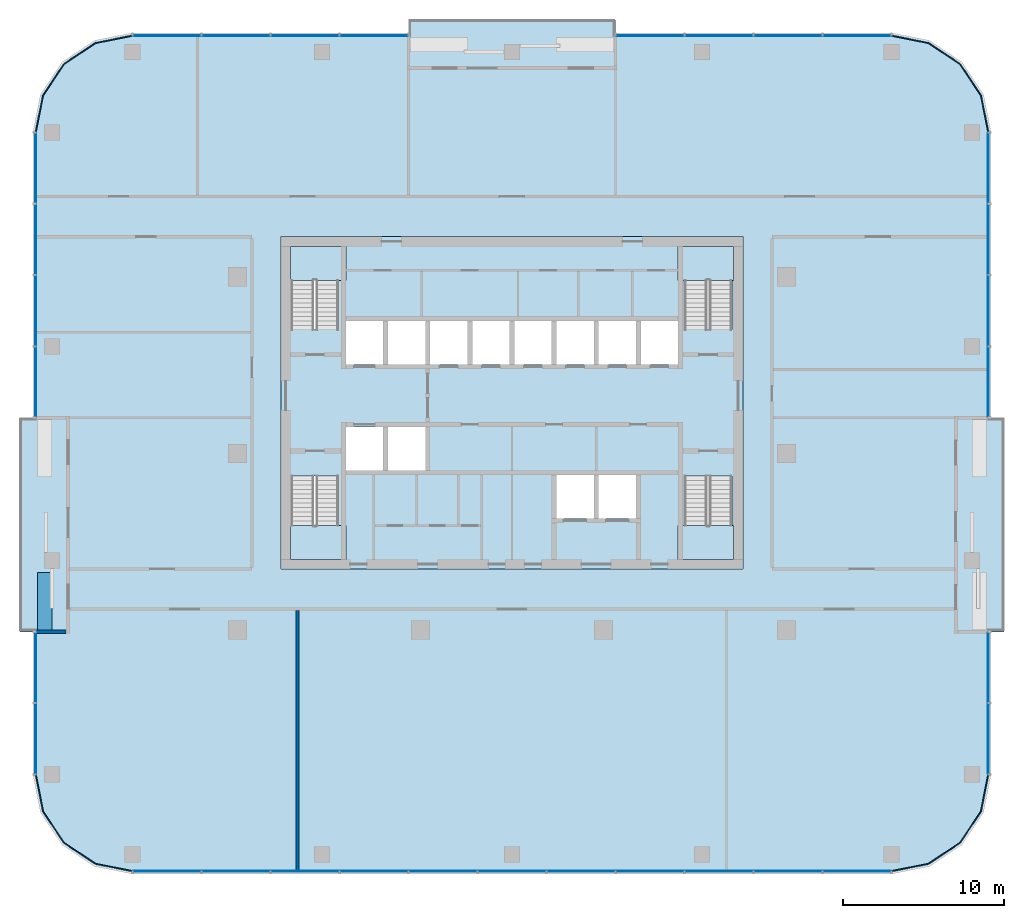
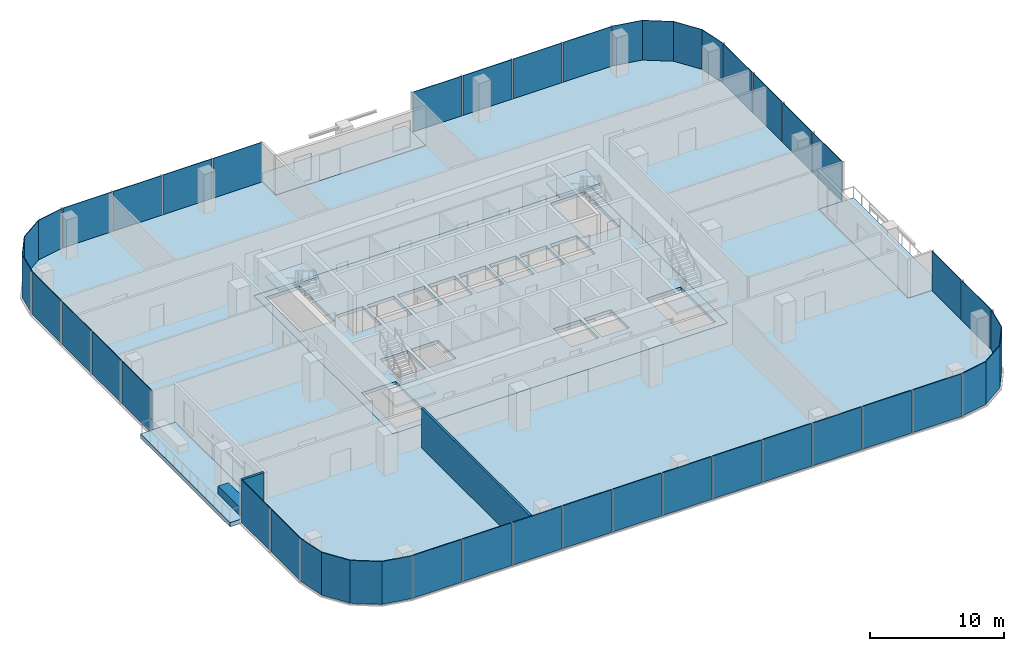
# One storey, part 6 of 13: 35 plates, 9 slabs, 3 walls, 15 elements without a shape of their own.
"""IFC4 building model written with IfcOpenShell, lengths in metres."""

from ifc_helpers import new_model, si_unit, direction, frame, frame_2d, origin, origin_2d, place, context, subcontext, project, spatial, polyline, rectangle, outline, extrude, material, layer, layer_set, type_object, element, aggregate, save


model = new_model("IFC4")

# Units and contexts
model_context = context("Model", 3, precision=1e-05, world=origin(), true_north=direction((0.0, 1.0)))
body_context = subcontext(model_context, "Body", "Model", "MODEL_VIEW")
ifc_project = project(units=[si_unit("LENGTHUNIT", "METRE"), si_unit("AREAUNIT", "SQUARE_METRE"), si_unit("VOLUMEUNIT", "CUBIC_METRE"), si_unit("PLANEANGLEUNIT", "RADIAN"), si_unit("MASSUNIT", "GRAM", prefix="KILO")], contexts=[model_context])

# Site, building, storey
site_placement = place(None, origin())
site = spatial("IfcSite", under=ifc_project, at=site_placement, CompositionType="ELEMENT")
building_placement = place(site_placement, origin())
building = spatial("IfcBuilding", under=site, at=building_placement, Name="Mopane Tessera Tower", CompositionType="ELEMENT")
storey_placement = place(building_placement, frame((0.0, 0.0, 271.39990234375)))
storey = spatial("IfcBuildingStorey", under=building, at=storey_placement, Name="L58", CompositionType="ELEMENT", Elevation=271.39990234375)

# Slab
ifc_material_1 = material(Name="Concrete C40/50", Category="concrete")
ifc_layer_1 = layer(ifc_material_1, 0.300048828125)
ifc_layer_set_1 = layer_set([ifc_layer_1], Name="Concrete C40/50")
slab_type_1 = type_object("IfcSlabType", Name="Core floor slab 300 mm", PredefinedType="FLOOR", material=ifc_layer_set_1)
slab_1_placement = place(storey_placement, frame((0.0, 0.0, -0.2998046875)))
element("IfcSlab", 1, at=slab_1_placement, inside=storey, type_object=slab_type_1, Name="L58 core floor slab", PredefinedType="FLOOR", context=body_context, shape_type="SweptSolid", body=[
    extrude(outline(polyline([(-14.39990234375, -7.199951171875), (14.39990234375, -7.199951171875), (14.39990234375, 13.5), (-14.39990234375, 13.5), (-14.39990234375, -7.199951171875)]), holes=[polyline([(-10.35009765625, -1.050048828125), (-8.02490234375, -1.050048828125), (-8.02490234375, 1.64990234375), (-10.35009765625, 1.64990234375), (-10.35009765625, -1.050048828125)]), polyline([(-7.72509765625, -1.050048828125), (-5.39990234375, -1.050048828125), (-5.39990234375, 1.64990234375), (-7.72509765625, 1.64990234375), (-7.72509765625, -1.050048828125)]), polyline([(-10.35009765625, 5.550048828125), (-8.02490234375, 5.550048828125), (-8.02490234375, 8.25), (-10.35009765625, 8.25), (-10.35009765625, 5.550048828125)]), polyline([(-7.72509765625, 5.550048828125), (-5.39990234375, 5.550048828125), (-5.39990234375, 8.25), (-7.72509765625, 8.25), (-7.72509765625, 5.550048828125)]), polyline([(-5.10009765625, 5.550048828125), (-2.77490234375, 5.550048828125), (-2.77490234375, 8.25), (-5.10009765625, 8.25), (-5.10009765625, 5.550048828125)]), polyline([(-2.47509765625, 5.550048828125), (-0.14990234375, 5.550048828125), (-0.14990234375, 8.25), (-2.47509765625, 8.25), (-2.47509765625, 5.550048828125)]), polyline([(0.14990234375, 5.550048828125), (2.47509765625, 5.550048828125), (2.47509765625, 8.25), (0.14990234375, 8.25), (0.14990234375, 5.550048828125)]), polyline([(2.77490234375, 5.550048828125), (5.10009765625, 5.550048828125), (5.10009765625, 8.25), (2.77490234375, 8.25), (2.77490234375, 5.550048828125)]), polyline([(5.39990234375, 5.550048828125), (7.72509765625, 5.550048828125), (7.72509765625, 8.25), (5.39990234375, 8.25), (5.39990234375, 5.550048828125)]), polyline([(8.02490234375, 5.550048828125), (10.35009765625, 5.550048828125), (10.35009765625, 8.25), (8.02490234375, 8.25), (8.02490234375, 5.550048828125)]), polyline([(2.77490234375, -4.050048828125), (5.10009765625, -4.050048828125), (5.10009765625, -1.35009765625), (2.77490234375, -1.35009765625), (2.77490234375, -4.050048828125)]), polyline([(5.39990234375, -4.050048828125), (7.72509765625, -4.050048828125), (7.72509765625, -1.35009765625), (5.39990234375, -1.35009765625), (5.39990234375, -4.050048828125)]), polyline([(-13.75, -1.405029296875), (-13.75, -6.60009765625), (-10.800048828125, -6.60009765625), (-10.800048828125, -1.405029296875), (-13.75, -1.405029296875)]), polyline([(-10.800048828125, 7.705078125), (-10.800048828125, 12.89990234375), (-13.75, 12.89990234375), (-13.75, 7.705078125), (-10.800048828125, 7.705078125)]), polyline([(10.75, -1.405029296875), (10.75, -6.60009765625), (13.699951171875, -6.60009765625), (13.699951171875, -1.405029296875), (10.75, -1.405029296875)]), polyline([(13.699951171875, 7.705078125), (13.699951171875, 12.89990234375), (10.75, 12.89990234375), (10.75, 7.705078125), (13.699951171875, 7.705078125)])]), origin(), (0.0, 0.0, 1.0), 0.2998046875),
])

# Stair, slab
ifc_material_2 = material(Name="Concrete C50/60", Category="concrete")
stair_type = type_object("IfcStairType", Name="Escape stair 1400 mm, riser 167 mm", PredefinedType="HALF_TURN_STAIR", material=ifc_material_2)
stair_1_placement = place(storey_placement, origin())
stair_1 = element("IfcStair", 2, at=stair_1_placement, inside=storey, type_object=stair_type, Name="L58 Escape stair south-west", PredefinedType="HALF_TURN_STAIR")
ifc_material_3 = material(Name="Concrete C50/60", Category="concrete")
ifc_layer_2 = layer(ifc_material_3, 0.199951171875)
ifc_layer_set_2 = layer_set([ifc_layer_2], Name="Concrete C50/60")
slab_type_2 = type_object("IfcSlabType", Name="Escape stair landing 200 mm", PredefinedType="LANDING", material=ifc_layer_set_2)
slab_2_placement = place(storey_placement, frame((0.0, 0.0, 1.800048828125)))
slab_2 = element("IfcSlab", 3, at=slab_2_placement, type_object=slab_type_2, Name="ST1 landing 1", PredefinedType="LANDING", context=body_context, shape_type="SweptSolid", body=[
    extrude(outline(polyline([(-13.800048828125, -4.47998046875), (-13.800048828125, -6.60009765625), (-10.35009765625, -6.60009765625), (-10.35009765625, -4.47998046875), (-13.800048828125, -4.47998046875)])), origin(), (0.0, 0.0, 1.0), 0.199951171875),
])
aggregate(stair_1, [slab_2])

stair_2_placement = place(storey_placement, origin())
stair_2 = element("IfcStair", 4, at=stair_2_placement, inside=storey, type_object=stair_type, Name="L58 Escape stair north-west", PredefinedType="HALF_TURN_STAIR")
slab_3_placement = place(storey_placement, frame((0.0, 0.0, 1.800048828125)))
slab_3 = element("IfcSlab", 5, at=slab_3_placement, type_object=slab_type_2, Name="ST2 landing 1", PredefinedType="LANDING", context=body_context, shape_type="SweptSolid", body=[
    extrude(outline(polyline([(-10.35009765625, 10.780029296875), (-10.35009765625, 12.89990234375), (-13.800048828125, 12.89990234375), (-13.800048828125, 10.780029296875), (-10.35009765625, 10.780029296875)])), origin(), (0.0, 0.0, 1.0), 0.199951171875),
])
aggregate(stair_2, [slab_3])

stair_3_placement = place(storey_placement, origin())
stair_3 = element("IfcStair", 6, at=stair_3_placement, inside=storey, type_object=stair_type, Name="L58 Escape stair south-east", PredefinedType="HALF_TURN_STAIR")
slab_4_placement = place(storey_placement, frame((0.0, 0.0, 1.800048828125)))
slab_4 = element("IfcSlab", 7, at=slab_4_placement, type_object=slab_type_2, Name="ST3 landing 1", PredefinedType="LANDING", context=body_context, shape_type="SweptSolid", body=[
    extrude(outline(polyline([(10.35009765625, -4.47998046875), (10.35009765625, -6.60009765625), (13.800048828125, -6.60009765625), (13.800048828125, -4.47998046875), (10.35009765625, -4.47998046875)])), origin(), (0.0, 0.0, 1.0), 0.199951171875),
])
aggregate(stair_3, [slab_4])

stair_4_placement = place(storey_placement, origin())
stair_4 = element("IfcStair", 8, at=stair_4_placement, inside=storey, type_object=stair_type, Name="L58 Escape stair north-east", PredefinedType="HALF_TURN_STAIR")
slab_5_placement = place(storey_placement, frame((0.0, 0.0, 1.800048828125)))
slab_5 = element("IfcSlab", 9, at=slab_5_placement, type_object=slab_type_2, Name="ST4 landing 1", PredefinedType="LANDING", context=body_context, shape_type="SweptSolid", body=[
    extrude(outline(polyline([(13.800048828125, 10.780029296875), (13.800048828125, 12.89990234375), (10.35009765625, 12.89990234375), (10.35009765625, 10.780029296875), (13.800048828125, 10.780029296875)])), origin(), (0.0, 0.0, 1.0), 0.199951171875),
])
aggregate(stair_4, [slab_5])

# Slabs
ifc_material_4 = material(Name="Concrete C40/50", Category="concrete")
ifc_layer_3 = layer(ifc_material_4, 0.39990234375)
ifc_layer_set_3 = layer_set([ifc_layer_3], Name="Concrete C40/50")
slab_type_3 = type_object("IfcSlabType", Name="Planted terrace slab 400 mm", PredefinedType="FLOOR", material=ifc_layer_set_3)
slab_6_placement = place(storey_placement, frame((0.0, 0.0, -0.39990234375)))
element("IfcSlab", 10, at=slab_6_placement, inside=storey, type_object=slab_type_3, Name="Terrace slab N1 L58", PredefinedType="FLOOR", context=body_context, shape_type="SweptSolid", body=[
    extrude(outline(polyline([(30.64990234375, 2.22216796875), (27.64990234375, 2.22216796875), (27.64990234375, -11.111083984375), (30.64990234375, -11.111083984375), (30.64990234375, 2.22216796875)])), origin(), (0.0, 0.0, 1.0), 0.39990234375),
])
slab_7_placement = place(storey_placement, frame((0.0, 0.0, -0.39990234375)))
element("IfcSlab", 11, at=slab_7_placement, inside=storey, type_object=slab_type_3, Name="Terrace slab N2 L58", PredefinedType="FLOOR", context=body_context, shape_type="SweptSolid", body=[
    extrude(outline(polyline([(-6.449951171875, 27.0), (-6.449951171875, 24.0), (6.449951171875, 24.0), (6.449951171875, 27.0), (-6.449951171875, 27.0)])), origin(), (0.0, 0.0, 1.0), 0.39990234375),
])
slab_8_placement = place(storey_placement, frame((0.0, 0.0, -0.39990234375)))
element("IfcSlab", 12, at=slab_8_placement, inside=storey, type_object=slab_type_3, Name="Terrace slab N3 L58", PredefinedType="FLOOR", context=body_context, shape_type="SweptSolid", body=[
    extrude(outline(polyline([(-30.64990234375, -11.111083984375), (-27.64990234375, -11.111083984375), (-27.64990234375, 2.22216796875), (-30.64990234375, 2.22216796875), (-30.64990234375, -11.111083984375)])), origin(), (0.0, 0.0, 1.0), 0.39990234375),
])
ifc_material_5 = material(Name="Concrete C40/50", Category="concrete")
ifc_layer_4 = layer(ifc_material_5, 0.39990234375)
ifc_layer_set_4 = layer_set([ifc_layer_4], Name="Concrete C40/50")
slab_type_4 = type_object("IfcSlabType", Name="Post-tensioned flat plate 400 mm", PredefinedType="FLOOR", material=ifc_layer_set_4)
slab_9_placement = place(storey_placement, frame((0.0, 0.0, -0.39990234375)))
element("IfcSlab", 13, at=slab_9_placement, inside=storey, type_object=slab_type_4, Name="Floor slab L58", PredefinedType="FLOOR", context=body_context, shape_type="SweptSolid", body=[
    extrude(outline(polyline([(29.64990234375, -20.0), (29.64990234375, -11.111083984375), (27.64990234375, -11.111083984375), (27.64990234375, 2.22216796875), (29.64990234375, 2.22216796875), (29.64990234375, 20.0), (29.193359375, 22.296142578125), (27.892578125, 24.24267578125), (25.946044921875, 25.543212890625), (23.64990234375, 26.0), (6.449951171875, 26.0), (6.449951171875, 24.0), (-6.449951171875, 24.0), (-6.449951171875, 26.0), (-23.64990234375, 26.0), (-25.946044921875, 25.543212890625), (-27.892578125, 24.24267578125), (-29.193359375, 22.296142578125), (-29.64990234375, 20.0), (-29.64990234375, 2.22216796875), (-27.64990234375, 2.22216796875), (-27.64990234375, -11.111083984375), (-29.64990234375, -11.111083984375), (-29.64990234375, -20.0), (-29.193359375, -22.296142578125), (-27.892578125, -24.24267578125), (-25.946044921875, -25.543212890625), (-23.64990234375, -26.0), (23.64990234375, -26.0), (25.946044921875, -25.543212890625), (27.892578125, -24.24267578125), (29.193359375, -22.296142578125), (29.64990234375, -20.0)]), holes=[polyline([(14.39990234375, -7.199951171875), (-14.39990234375, -7.199951171875), (-14.39990234375, 13.5), (14.39990234375, 13.5), (14.39990234375, -7.199951171875)])]), origin(), (0.0, 0.0, 1.0), 0.39990234375),
])

# Curtain wall, plates
ifc_material_6 = material(Name="Aluminium frame", Category="aluminium")
curtain_wall_type = type_object("IfcCurtainWallType", Name="Unitised curtain wall", PredefinedType="NOTDEFINED", material=ifc_material_6)
curtain_wall_1_placement = place(storey_placement, origin())
curtain_wall_1 = element("IfcCurtainWall", 14, at=curtain_wall_1_placement, inside=storey, type_object=curtain_wall_type, Name="e:cw:L58:S:0", PredefinedType="NOTDEFINED")
ifc_material_7 = material(Name="Clear laminated glass", Category="glass")
ifc_layer_5 = layer(ifc_material_7, 0.06005859375)
ifc_layer_set_5 = layer_set([ifc_layer_5], Name="Clear laminated glass")
plate_type = type_object("IfcPlateType", Name="Unitised glazed unit", PredefinedType="CURTAIN_PANEL", material=ifc_layer_set_5)
plate_1_placement = place(storey_placement, frame((-21.5, -26.030029296875, -0.27978515625), z_axis=(0.0, 0.0, 1.0), x_axis=(1.0, 0.0, 0.0)))
plate_1 = element("IfcPlate", 15, at=plate_1_placement, type_object=plate_type, Name="e:cw:L58:S:0:pn0", PredefinedType="CURTAIN_PANEL", context=body_context, shape_type="SweptSolid", body=[
    extrude(rectangle(XDim=4.199951171875, YDim=0.06005859375, at=origin_2d()), origin(), (0.0, 0.0, 1.0), 3.8798828125),
])
plate_2_placement = place(storey_placement, frame((-17.199951171875, -26.030029296875, -0.27978515625), z_axis=(0.0, 0.0, 1.0), x_axis=(1.0, 0.0, 0.0)))
plate_2 = element("IfcPlate", 16, at=plate_2_placement, type_object=plate_type, Name="e:cw:L58:S:0:pn1", PredefinedType="CURTAIN_PANEL", context=body_context, shape_type="SweptSolid", body=[
    extrude(rectangle(XDim=4.199951171875, YDim=0.06005859375, at=origin_2d()), origin(), (0.0, 0.0, 1.0), 3.8798828125),
])
plate_3_placement = place(storey_placement, frame((-12.89990234375, -26.030029296875, -0.27978515625), z_axis=(0.0, 0.0, 1.0), x_axis=(1.0, 0.0, 0.0)))
plate_3 = element("IfcPlate", 17, at=plate_3_placement, type_object=plate_type, Name="e:cw:L58:S:0:pn2", PredefinedType="CURTAIN_PANEL", context=body_context, shape_type="SweptSolid", body=[
    extrude(rectangle(XDim=4.199951171875, YDim=0.06005859375, at=origin_2d()), origin(), (0.0, 0.0, 1.0), 3.8798828125),
])
plate_4_placement = place(storey_placement, frame((-8.60009765625, -26.030029296875, -0.27978515625), z_axis=(0.0, 0.0, 1.0), x_axis=(1.0, 0.0, 0.0)))
plate_4 = element("IfcPlate", 18, at=plate_4_placement, type_object=plate_type, Name="e:cw:L58:S:0:pn3", PredefinedType="CURTAIN_PANEL", context=body_context, shape_type="SweptSolid", body=[
    extrude(rectangle(XDim=4.199951171875, YDim=0.06005859375, at=origin_2d()), origin(), (0.0, 0.0, 1.0), 3.8798828125),
])
plate_5_placement = place(storey_placement, frame((-4.300048828125, -26.030029296875, -0.27978515625), z_axis=(0.0, 0.0, 1.0), x_axis=(1.0, 0.0, 0.0)))
plate_5 = element("IfcPlate", 19, at=plate_5_placement, type_object=plate_type, Name="e:cw:L58:S:0:pn4", PredefinedType="CURTAIN_PANEL", context=body_context, shape_type="SweptSolid", body=[
    extrude(rectangle(XDim=4.199951171875, YDim=0.06005859375, at=origin_2d()), origin(), (0.0, 0.0, 1.0), 3.8798828125),
])
plate_6_placement = place(storey_placement, frame((0.0, -26.030029296875, -0.27978515625), z_axis=(0.0, 0.0, 1.0), x_axis=(1.0, 0.0, 0.0)))
plate_6 = element("IfcPlate", 20, at=plate_6_placement, type_object=plate_type, Name="e:cw:L58:S:0:pn5", PredefinedType="CURTAIN_PANEL", context=body_context, shape_type="SweptSolid", body=[
    extrude(rectangle(XDim=4.199951171875, YDim=0.06005859375, at=origin_2d()), origin(), (0.0, 0.0, 1.0), 3.8798828125),
])
plate_7_placement = place(storey_placement, frame((4.300048828125, -26.030029296875, -0.27978515625), z_axis=(0.0, 0.0, 1.0), x_axis=(1.0, 0.0, 0.0)))
plate_7 = element("IfcPlate", 21, at=plate_7_placement, type_object=plate_type, Name="e:cw:L58:S:0:pn6", PredefinedType="CURTAIN_PANEL", context=body_context, shape_type="SweptSolid", body=[
    extrude(rectangle(XDim=4.199951171875, YDim=0.06005859375, at=origin_2d()), origin(), (0.0, 0.0, 1.0), 3.8798828125),
])
plate_8_placement = place(storey_placement, frame((8.60009765625, -26.030029296875, -0.27978515625), z_axis=(0.0, 0.0, 1.0), x_axis=(1.0, 0.0, 0.0)))
plate_8 = element("IfcPlate", 22, at=plate_8_placement, type_object=plate_type, Name="e:cw:L58:S:0:pn7", PredefinedType="CURTAIN_PANEL", context=body_context, shape_type="SweptSolid", body=[
    extrude(rectangle(XDim=4.199951171875, YDim=0.06005859375, at=origin_2d()), origin(), (0.0, 0.0, 1.0), 3.8798828125),
])
plate_9_placement = place(storey_placement, frame((12.89990234375, -26.030029296875, -0.27978515625), z_axis=(0.0, 0.0, 1.0), x_axis=(1.0, 0.0, 0.0)))
plate_9 = element("IfcPlate", 23, at=plate_9_placement, type_object=plate_type, Name="e:cw:L58:S:0:pn8", PredefinedType="CURTAIN_PANEL", context=body_context, shape_type="SweptSolid", body=[
    extrude(rectangle(XDim=4.199951171875, YDim=0.06005859375, at=origin_2d()), origin(), (0.0, 0.0, 1.0), 3.8798828125),
])
plate_10_placement = place(storey_placement, frame((17.199951171875, -26.030029296875, -0.27978515625), z_axis=(0.0, 0.0, 1.0), x_axis=(1.0, 0.0, 0.0)))
plate_10 = element("IfcPlate", 24, at=plate_10_placement, type_object=plate_type, Name="e:cw:L58:S:0:pn9", PredefinedType="CURTAIN_PANEL", context=body_context, shape_type="SweptSolid", body=[
    extrude(rectangle(XDim=4.199951171875, YDim=0.06005859375, at=origin_2d()), origin(), (0.0, 0.0, 1.0), 3.8798828125),
])
plate_11_placement = place(storey_placement, frame((21.5, -26.030029296875, -0.27978515625), z_axis=(0.0, 0.0, 1.0), x_axis=(1.0, 0.0, 0.0)))
plate_11 = element("IfcPlate", 25, at=plate_11_placement, type_object=plate_type, Name="e:cw:L58:S:0:pn10", PredefinedType="CURTAIN_PANEL", context=body_context, shape_type="SweptSolid", body=[
    extrude(rectangle(XDim=4.199951171875, YDim=0.06005859375, at=origin_2d()), origin(), (0.0, 0.0, 1.0), 3.8798828125),
])
aggregate(curtain_wall_1, [plate_1, plate_2, plate_3, plate_4, plate_5, plate_6, plate_7, plate_8, plate_9, plate_10, plate_11])

# Curtain wall, plate
curtain_wall_2_placement = place(storey_placement, origin())
curtain_wall_2 = element("IfcCurtainWall", 26, at=curtain_wall_2_placement, inside=storey, type_object=curtain_wall_type, Name="e:cw:L58:CS", PredefinedType="NOTDEFINED")
plate_12_placement = place(storey_placement, frame((0.0, 0.0, -0.27978515625)))
plate_12 = element("IfcPlate", 27, at=plate_12_placement, type_object=plate_type, Name="e:cw:L58:CS:pn", PredefinedType="CURTAIN_PANEL", context=body_context, shape_type="SweptSolid", body=[
    extrude(outline(polyline([(23.64990234375, -26.0), (25.946044921875, -25.543212890625), (27.892578125, -24.24267578125), (29.193359375, -22.296142578125), (29.64990234375, -20.0), (29.7099609375, -20.0), (29.248779296875, -22.319091796875), (27.93505859375, -24.28515625), (25.968994140625, -25.5986328125), (23.64990234375, -26.06005859375), (23.64990234375, -26.0)])), origin(), (0.0, 0.0, 1.0), 3.8798828125),
])
aggregate(curtain_wall_2, [plate_12])

# Curtain wall, plates
curtain_wall_3_placement = place(storey_placement, origin())
curtain_wall_3 = element("IfcCurtainWall", 28, at=curtain_wall_3_placement, inside=storey, type_object=curtain_wall_type, Name="e:cw:L58:E:0", PredefinedType="NOTDEFINED")
plate_13_placement = place(storey_placement, frame((29.679931640625, -17.77783203125, -0.27978515625), z_axis=(0.0, 0.0, 1.0), x_axis=(0.0, 1.0, 0.0)))
plate_13 = element("IfcPlate", 29, at=plate_13_placement, type_object=plate_type, Name="e:cw:L58:E:0:pn0", PredefinedType="CURTAIN_PANEL", context=body_context, shape_type="SweptSolid", body=[
    extrude(rectangle(XDim=4.344482421875, YDim=0.06005859375, at=origin_2d()), origin(), (0.0, 0.0, 1.0), 3.8798828125),
])
plate_14_placement = place(storey_placement, frame((29.679931640625, -13.333251953125, -0.27978515625), z_axis=(0.0, 0.0, 1.0), x_axis=(0.0, 1.0, 0.0)))
plate_14 = element("IfcPlate", 30, at=plate_14_placement, type_object=plate_type, Name="e:cw:L58:E:0:pn1", PredefinedType="CURTAIN_PANEL", context=body_context, shape_type="SweptSolid", body=[
    extrude(rectangle(XDim=4.344482421875, YDim=0.06005859375, at=origin_2d()), origin(), (0.0, 0.0, 1.0), 3.8798828125),
])
aggregate(curtain_wall_3, [plate_13, plate_14])

curtain_wall_4_placement = place(storey_placement, origin())
curtain_wall_4 = element("IfcCurtainWall", 31, at=curtain_wall_4_placement, inside=storey, type_object=curtain_wall_type, Name="e:cw:L58:E:5", PredefinedType="NOTDEFINED")
plate_15_placement = place(storey_placement, frame((29.679931640625, 4.4443359375, -0.27978515625), z_axis=(0.0, 0.0, 1.0), x_axis=(0.0, 1.0, 0.0)))
plate_15 = element("IfcPlate", 32, at=plate_15_placement, type_object=plate_type, Name="e:cw:L58:E:5:pn5", PredefinedType="CURTAIN_PANEL", context=body_context, shape_type="SweptSolid", body=[
    extrude(rectangle(XDim=4.344482421875, YDim=0.06005859375, at=origin_2d()), origin(), (0.0, 0.0, 1.0), 3.8798828125),
])
plate_16_placement = place(storey_placement, frame((29.679931640625, 8.888916015625, -0.27978515625), z_axis=(0.0, 0.0, 1.0), x_axis=(0.0, 1.0, 0.0)))
plate_16 = element("IfcPlate", 33, at=plate_16_placement, type_object=plate_type, Name="e:cw:L58:E:5:pn6", PredefinedType="CURTAIN_PANEL", context=body_context, shape_type="SweptSolid", body=[
    extrude(rectangle(XDim=4.344482421875, YDim=0.06005859375, at=origin_2d()), origin(), (0.0, 0.0, 1.0), 3.8798828125),
])
plate_17_placement = place(storey_placement, frame((29.679931640625, 13.333251953125, -0.27978515625), z_axis=(0.0, 0.0, 1.0), x_axis=(0.0, 1.0, 0.0)))
plate_17 = element("IfcPlate", 34, at=plate_17_placement, type_object=plate_type, Name="e:cw:L58:E:5:pn7", PredefinedType="CURTAIN_PANEL", context=body_context, shape_type="SweptSolid", body=[
    extrude(rectangle(XDim=4.344482421875, YDim=0.06005859375, at=origin_2d()), origin(), (0.0, 0.0, 1.0), 3.8798828125),
])
plate_18_placement = place(storey_placement, frame((29.679931640625, 17.77783203125, -0.27978515625), z_axis=(0.0, 0.0, 1.0), x_axis=(0.0, 1.0, 0.0)))
plate_18 = element("IfcPlate", 35, at=plate_18_placement, type_object=plate_type, Name="e:cw:L58:E:5:pn8", PredefinedType="CURTAIN_PANEL", context=body_context, shape_type="SweptSolid", body=[
    extrude(rectangle(XDim=4.344482421875, YDim=0.06005859375, at=origin_2d()), origin(), (0.0, 0.0, 1.0), 3.8798828125),
])
aggregate(curtain_wall_4, [plate_15, plate_16, plate_17, plate_18])

# Curtain wall, plate
curtain_wall_5_placement = place(storey_placement, origin())
curtain_wall_5 = element("IfcCurtainWall", 36, at=curtain_wall_5_placement, inside=storey, type_object=curtain_wall_type, Name="e:cw:L58:CE", PredefinedType="NOTDEFINED")
plate_19_placement = place(storey_placement, frame((0.0, 0.0, -0.27978515625)))
plate_19 = element("IfcPlate", 37, at=plate_19_placement, type_object=plate_type, Name="e:cw:L58:CE:pn", PredefinedType="CURTAIN_PANEL", context=body_context, shape_type="SweptSolid", body=[
    extrude(outline(polyline([(29.64990234375, 20.0), (29.193359375, 22.296142578125), (27.892578125, 24.24267578125), (25.946044921875, 25.543212890625), (23.64990234375, 26.0), (23.64990234375, 26.06005859375), (25.968994140625, 25.5986328125), (27.93505859375, 24.28515625), (29.248779296875, 22.319091796875), (29.7099609375, 20.0), (29.64990234375, 20.0)])), origin(), (0.0, 0.0, 1.0), 3.8798828125),
])
aggregate(curtain_wall_5, [plate_19])

# Curtain wall, plates
curtain_wall_6_placement = place(storey_placement, origin())
curtain_wall_6 = element("IfcCurtainWall", 38, at=curtain_wall_6_placement, inside=storey, type_object=curtain_wall_type, Name="e:cw:L58:N:0", PredefinedType="NOTDEFINED")
plate_20_placement = place(storey_placement, frame((21.5, 26.030029296875, -0.27978515625), z_axis=(0.0, 0.0, 1.0), x_axis=(-1.0, 0.0, 0.0)))
plate_20 = element("IfcPlate", 39, at=plate_20_placement, type_object=plate_type, Name="e:cw:L58:N:0:pn0", PredefinedType="CURTAIN_PANEL", context=body_context, shape_type="SweptSolid", body=[
    extrude(rectangle(XDim=4.199951171875, YDim=0.06005859375, at=origin_2d()), origin(), (0.0, 0.0, 1.0), 3.8798828125),
])
plate_21_placement = place(storey_placement, frame((17.199951171875, 26.030029296875, -0.27978515625), z_axis=(0.0, 0.0, 1.0), x_axis=(-1.0, 0.0, 0.0)))
plate_21 = element("IfcPlate", 40, at=plate_21_placement, type_object=plate_type, Name="e:cw:L58:N:0:pn1", PredefinedType="CURTAIN_PANEL", context=body_context, shape_type="SweptSolid", body=[
    extrude(rectangle(XDim=4.199951171875, YDim=0.06005859375, at=origin_2d()), origin(), (0.0, 0.0, 1.0), 3.8798828125),
])
plate_22_placement = place(storey_placement, frame((12.89990234375, 26.030029296875, -0.27978515625), z_axis=(0.0, 0.0, 1.0), x_axis=(-1.0, 0.0, 0.0)))
plate_22 = element("IfcPlate", 41, at=plate_22_placement, type_object=plate_type, Name="e:cw:L58:N:0:pn2", PredefinedType="CURTAIN_PANEL", context=body_context, shape_type="SweptSolid", body=[
    extrude(rectangle(XDim=4.199951171875, YDim=0.06005859375, at=origin_2d()), origin(), (0.0, 0.0, 1.0), 3.8798828125),
])
plate_23_placement = place(storey_placement, frame((8.60009765625, 26.030029296875, -0.27978515625), z_axis=(0.0, 0.0, 1.0), x_axis=(-1.0, 0.0, 0.0)))
plate_23 = element("IfcPlate", 42, at=plate_23_placement, type_object=plate_type, Name="e:cw:L58:N:0:pn3", PredefinedType="CURTAIN_PANEL", context=body_context, shape_type="SweptSolid", body=[
    extrude(rectangle(XDim=4.199951171875, YDim=0.06005859375, at=origin_2d()), origin(), (0.0, 0.0, 1.0), 3.8798828125),
])
aggregate(curtain_wall_6, [plate_20, plate_21, plate_22, plate_23])

curtain_wall_7_placement = place(storey_placement, origin())
curtain_wall_7 = element("IfcCurtainWall", 43, at=curtain_wall_7_placement, inside=storey, type_object=curtain_wall_type, Name="e:cw:L58:N:7", PredefinedType="NOTDEFINED")
plate_24_placement = place(storey_placement, frame((-8.60009765625, 26.030029296875, -0.27978515625), z_axis=(0.0, 0.0, 1.0), x_axis=(-1.0, 0.0, 0.0)))
plate_24 = element("IfcPlate", 44, at=plate_24_placement, type_object=plate_type, Name="e:cw:L58:N:7:pn7", PredefinedType="CURTAIN_PANEL", context=body_context, shape_type="SweptSolid", body=[
    extrude(rectangle(XDim=4.199951171875, YDim=0.06005859375, at=origin_2d()), origin(), (0.0, 0.0, 1.0), 3.8798828125),
])
plate_25_placement = place(storey_placement, frame((-12.89990234375, 26.030029296875, -0.27978515625), z_axis=(0.0, 0.0, 1.0), x_axis=(-1.0, 0.0, 0.0)))
plate_25 = element("IfcPlate", 45, at=plate_25_placement, type_object=plate_type, Name="e:cw:L58:N:7:pn8", PredefinedType="CURTAIN_PANEL", context=body_context, shape_type="SweptSolid", body=[
    extrude(rectangle(XDim=4.199951171875, YDim=0.06005859375, at=origin_2d()), origin(), (0.0, 0.0, 1.0), 3.8798828125),
])
plate_26_placement = place(storey_placement, frame((-17.199951171875, 26.030029296875, -0.27978515625), z_axis=(0.0, 0.0, 1.0), x_axis=(-1.0, 0.0, 0.0)))
plate_26 = element("IfcPlate", 46, at=plate_26_placement, type_object=plate_type, Name="e:cw:L58:N:7:pn9", PredefinedType="CURTAIN_PANEL", context=body_context, shape_type="SweptSolid", body=[
    extrude(rectangle(XDim=4.199951171875, YDim=0.06005859375, at=origin_2d()), origin(), (0.0, 0.0, 1.0), 3.8798828125),
])
plate_27_placement = place(storey_placement, frame((-21.5, 26.030029296875, -0.27978515625), z_axis=(0.0, 0.0, 1.0), x_axis=(-1.0, 0.0, 0.0)))
plate_27 = element("IfcPlate", 47, at=plate_27_placement, type_object=plate_type, Name="e:cw:L58:N:7:pn10", PredefinedType="CURTAIN_PANEL", context=body_context, shape_type="SweptSolid", body=[
    extrude(rectangle(XDim=4.199951171875, YDim=0.06005859375, at=origin_2d()), origin(), (0.0, 0.0, 1.0), 3.8798828125),
])
aggregate(curtain_wall_7, [plate_24, plate_25, plate_26, plate_27])

# Curtain wall, plate
curtain_wall_8_placement = place(storey_placement, origin())
curtain_wall_8 = element("IfcCurtainWall", 48, at=curtain_wall_8_placement, inside=storey, type_object=curtain_wall_type, Name="e:cw:L58:CN", PredefinedType="NOTDEFINED")
plate_28_placement = place(storey_placement, frame((0.0, 0.0, -0.27978515625)))
plate_28 = element("IfcPlate", 49, at=plate_28_placement, type_object=plate_type, Name="e:cw:L58:CN:pn", PredefinedType="CURTAIN_PANEL", context=body_context, shape_type="SweptSolid", body=[
    extrude(outline(polyline([(-23.64990234375, 26.0), (-25.946044921875, 25.543212890625), (-27.892578125, 24.24267578125), (-29.193359375, 22.296142578125), (-29.64990234375, 20.0), (-29.7099609375, 20.0), (-29.248779296875, 22.319091796875), (-27.93505859375, 24.28515625), (-25.968994140625, 25.5986328125), (-23.64990234375, 26.06005859375), (-23.64990234375, 26.0)])), origin(), (0.0, 0.0, 1.0), 3.8798828125),
])
aggregate(curtain_wall_8, [plate_28])

# Curtain wall, plates
curtain_wall_9_placement = place(storey_placement, origin())
curtain_wall_9 = element("IfcCurtainWall", 50, at=curtain_wall_9_placement, inside=storey, type_object=curtain_wall_type, Name="e:cw:L58:W:0", PredefinedType="NOTDEFINED")
plate_29_placement = place(storey_placement, frame((-29.679931640625, 17.77783203125, -0.27978515625), z_axis=(0.0, 0.0, 1.0), x_axis=(0.0, -1.0, 0.0)))
plate_29 = element("IfcPlate", 51, at=plate_29_placement, type_object=plate_type, Name="e:cw:L58:W:0:pn0", PredefinedType="CURTAIN_PANEL", context=body_context, shape_type="SweptSolid", body=[
    extrude(rectangle(XDim=4.344482421875, YDim=0.06005859375, at=origin_2d()), origin(), (0.0, 0.0, 1.0), 3.8798828125),
])
plate_30_placement = place(storey_placement, frame((-29.679931640625, 13.333251953125, -0.27978515625), z_axis=(0.0, 0.0, 1.0), x_axis=(0.0, -1.0, 0.0)))
plate_30 = element("IfcPlate", 52, at=plate_30_placement, type_object=plate_type, Name="e:cw:L58:W:0:pn1", PredefinedType="CURTAIN_PANEL", context=body_context, shape_type="SweptSolid", body=[
    extrude(rectangle(XDim=4.344482421875, YDim=0.06005859375, at=origin_2d()), origin(), (0.0, 0.0, 1.0), 3.8798828125),
])
plate_31_placement = place(storey_placement, frame((-29.679931640625, 8.888916015625, -0.27978515625), z_axis=(0.0, 0.0, 1.0), x_axis=(0.0, -1.0, 0.0)))
plate_31 = element("IfcPlate", 53, at=plate_31_placement, type_object=plate_type, Name="e:cw:L58:W:0:pn2", PredefinedType="CURTAIN_PANEL", context=body_context, shape_type="SweptSolid", body=[
    extrude(rectangle(XDim=4.344482421875, YDim=0.06005859375, at=origin_2d()), origin(), (0.0, 0.0, 1.0), 3.8798828125),
])
plate_32_placement = place(storey_placement, frame((-29.679931640625, 4.4443359375, -0.27978515625), z_axis=(0.0, 0.0, 1.0), x_axis=(0.0, -1.0, 0.0)))
plate_32 = element("IfcPlate", 54, at=plate_32_placement, type_object=plate_type, Name="e:cw:L58:W:0:pn3", PredefinedType="CURTAIN_PANEL", context=body_context, shape_type="SweptSolid", body=[
    extrude(rectangle(XDim=4.344482421875, YDim=0.06005859375, at=origin_2d()), origin(), (0.0, 0.0, 1.0), 3.8798828125),
])
aggregate(curtain_wall_9, [plate_29, plate_30, plate_31, plate_32])

curtain_wall_10_placement = place(storey_placement, origin())
curtain_wall_10 = element("IfcCurtainWall", 55, at=curtain_wall_10_placement, inside=storey, type_object=curtain_wall_type, Name="e:cw:L58:W:7", PredefinedType="NOTDEFINED")
plate_33_placement = place(storey_placement, frame((-29.679931640625, -13.333251953125, -0.27978515625), z_axis=(0.0, 0.0, 1.0), x_axis=(0.0, -1.0, 0.0)))
plate_33 = element("IfcPlate", 56, at=plate_33_placement, type_object=plate_type, Name="e:cw:L58:W:7:pn7", PredefinedType="CURTAIN_PANEL", context=body_context, shape_type="SweptSolid", body=[
    extrude(rectangle(XDim=4.344482421875, YDim=0.06005859375, at=origin_2d()), origin(), (0.0, 0.0, 1.0), 3.8798828125),
])
plate_34_placement = place(storey_placement, frame((-29.679931640625, -17.77783203125, -0.27978515625), z_axis=(0.0, 0.0, 1.0), x_axis=(0.0, -1.0, 0.0)))
plate_34 = element("IfcPlate", 57, at=plate_34_placement, type_object=plate_type, Name="e:cw:L58:W:7:pn8", PredefinedType="CURTAIN_PANEL", context=body_context, shape_type="SweptSolid", body=[
    extrude(rectangle(XDim=4.344482421875, YDim=0.06005859375, at=origin_2d()), origin(), (0.0, 0.0, 1.0), 3.8798828125),
])
aggregate(curtain_wall_10, [plate_33, plate_34])

# Curtain wall, plate
curtain_wall_11_placement = place(storey_placement, origin())
curtain_wall_11 = element("IfcCurtainWall", 58, at=curtain_wall_11_placement, inside=storey, type_object=curtain_wall_type, Name="e:cw:L58:CW", PredefinedType="NOTDEFINED")
plate_35_placement = place(storey_placement, frame((0.0, 0.0, -0.27978515625)))
plate_35 = element("IfcPlate", 59, at=plate_35_placement, type_object=plate_type, Name="e:cw:L58:CW:pn", PredefinedType="CURTAIN_PANEL", context=body_context, shape_type="SweptSolid", body=[
    extrude(outline(polyline([(-29.64990234375, -20.0), (-29.193359375, -22.296142578125), (-27.892578125, -24.24267578125), (-25.946044921875, -25.543212890625), (-23.64990234375, -26.0), (-23.64990234375, -26.06005859375), (-25.968994140625, -25.5986328125), (-27.93505859375, -24.28515625), (-29.248779296875, -22.319091796875), (-29.7099609375, -20.0), (-29.64990234375, -20.0)])), origin(), (0.0, 0.0, 1.0), 3.8798828125),
])
aggregate(curtain_wall_11, [plate_35])

# Walls
ifc_material_8 = material(Name="Gypsum board on staggered steel studs, double layer each face, acoustic mineral wool infill", Category="steel")
ifc_layer_6 = layer(ifc_material_8, 0.175048828125)
ifc_layer_set_6 = layer_set([ifc_layer_6], Name="Gypsum board on staggered steel studs, double layer each face, acoustic mineral wool infill")
wall_type_1 = type_object("IfcWallType", Name="Gypsum board acoustic partition 175, rated EI 60", PredefinedType="PARTITIONING", material=ifc_layer_set_6)
wall_1_placement = place(storey_placement, frame((-13.364990234375, -25.949951171875, 0.0), z_axis=(0.0, 0.0, 1.0), x_axis=(0.0, 1.0, 0.0)))
element("IfcWall", 60, at=wall_1_placement, inside=storey, type_object=wall_type_1, Name="Partition L58:012", PredefinedType="PARTITIONING", context=body_context, shape_type="SweptSolid", body=[
    extrude(rectangle(XDim=16.14990234375, YDim=0.175048828125, at=frame_2d((8.074951171875, 0.0))), origin(), (0.0, 0.0, 1.0), 3.60009765625),
])
ifc_material_9 = material(Name="Reinforced concrete C32/40 with waterproofing", Category="concrete")
ifc_layer_7 = layer(ifc_material_9, 0.89990234375)
ifc_layer_set_7 = layer_set([ifc_layer_7], Name="Reinforced concrete C32/40 with waterproofing")
wall_type_2 = type_object("IfcWallType", Name="Planter trough 3600 x 900", PredefinedType="STANDARD", material=ifc_layer_set_7)
wall_2_placement = place(storey_placement, frame((-29.10009765625, -7.4111328125, 0.0), z_axis=(0.0, 0.0, 1.0), x_axis=(0.0, -1.0, 0.0)))
element("IfcWall", 61, at=wall_2_placement, inside=storey, type_object=wall_type_2, Name="e:nw:L58:N3:pl1", PredefinedType="STANDARD", context=body_context, shape_type="SweptSolid", body=[
    extrude(rectangle(XDim=3.60009765625, YDim=0.89990234375, at=frame_2d((1.800048828125, 0.0))), origin(), (0.0, 0.0, 1.0), 0.7001953125),
])
ifc_material_10 = material(Name="Blockwork with glazed tile facing", Category="masonry")
ifc_layer_8 = layer(ifc_material_10, 0.199951171875)
ifc_layer_set_8 = layer_set([ifc_layer_8], Name="Blockwork with glazed tile facing")
wall_type_3 = type_object("IfcWallType", Name="Terrace cheek wall 200", PredefinedType="STANDARD", material=ifc_layer_set_8)
wall_3_placement = place(storey_placement, frame((-29.64990234375, -11.111083984375, 0.0), z_axis=(0.0, 0.0, 1.0), x_axis=(1.0, 0.0, 0.0)))
element("IfcWall", 62, at=wall_3_placement, inside=storey, type_object=wall_type_3, Name="e:nw:L58:N3:cheekb", PredefinedType="STANDARD", context=body_context, shape_type="SweptSolid", body=[
    extrude(rectangle(XDim=1.875, YDim=0.199951171875, at=frame_2d((0.9375, 0.0))), origin(), (0.0, 0.0, 1.0), 3.60009765625),
])

save(model, "model.ifc")
